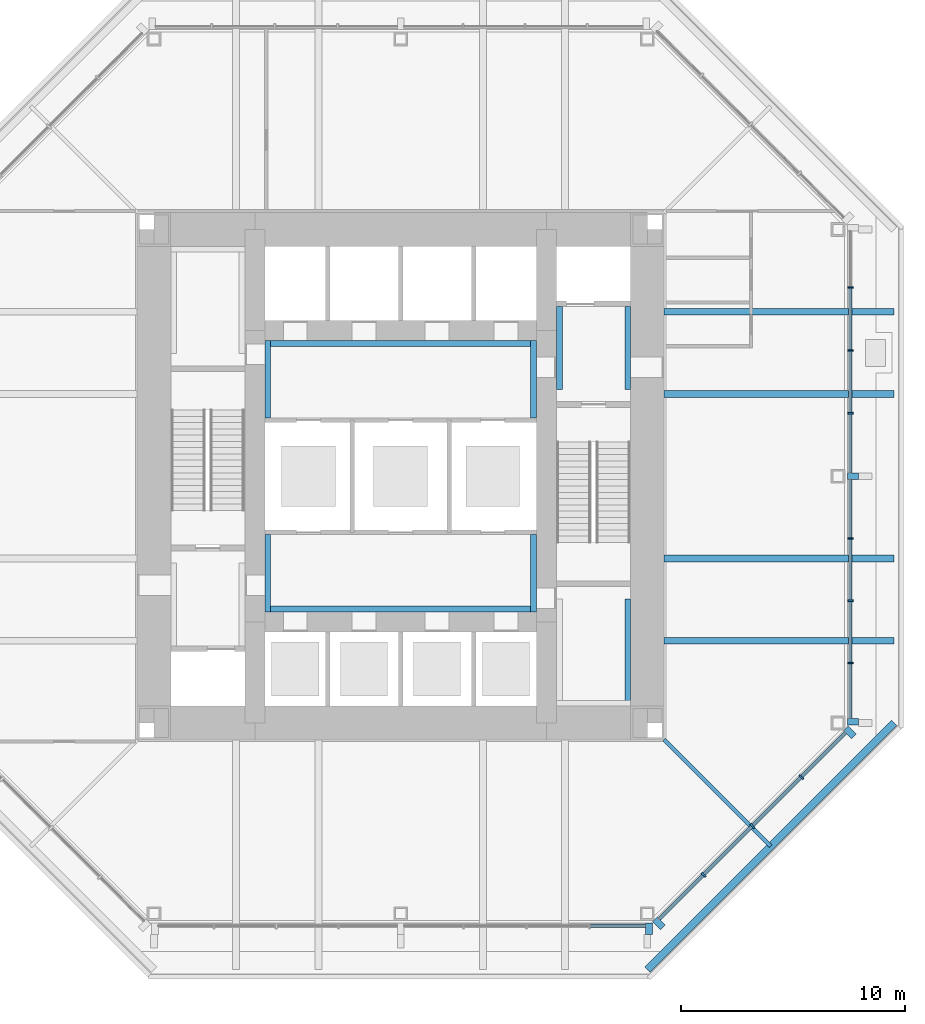
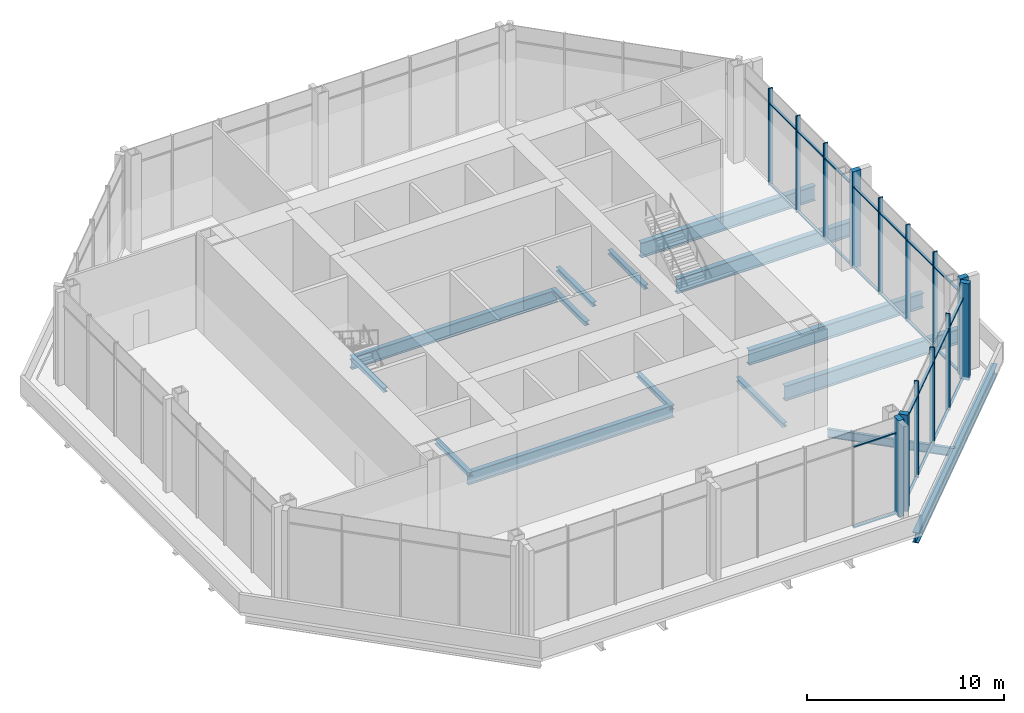
# One storey, part 3 of 10: 38 members, 15 beams, 3 elements without a shape of their own.
"""IFC4 building model written with IfcOpenShell, lengths in metres."""

from ifc_helpers import new_model, si_unit, direction, frame, origin, origin_2d, place, context, subcontext, project, spatial, rectangle, i_section, extrude, material, material_profile, profile_set, type_object, element, aggregate, save


model = new_model("IFC4")

# Units and contexts
model_context = context("Model", 3, precision=1e-05, world=origin(), true_north=direction((0.0, 1.0)))
body_context = subcontext(model_context, "Body", "Model", "MODEL_VIEW")
ifc_project = project(units=[si_unit("LENGTHUNIT", "METRE"), si_unit("AREAUNIT", "SQUARE_METRE"), si_unit("VOLUMEUNIT", "CUBIC_METRE"), si_unit("PLANEANGLEUNIT", "RADIAN"), si_unit("MASSUNIT", "GRAM", prefix="KILO")], contexts=[model_context])

# Site, building, storey
site_placement = place(None, origin())
site = spatial("IfcSite", under=ifc_project, at=site_placement, CompositionType="ELEMENT")
building_placement = place(site_placement, origin())
building = spatial("IfcBuilding", under=site, at=building_placement, Name="Trevanion Tower", CompositionType="ELEMENT")
storey_placement = place(building_placement, frame((0.0, 0.0, 184.699951171875)))
storey = spatial("IfcBuildingStorey", under=building, at=storey_placement, Name="L43", CompositionType="ELEMENT", Elevation=184.699951171875)

# Beams
ifc_material_1 = material(Name="Steel ASTM A992 Grade 50", Category="steel")
ifc_material_profile_1 = material_profile(ifc_material_1, i_section(OverallWidth=0.1650390625, OverallDepth=0.52587890625, WebThickness=0.0087890625, FlangeThickness=0.011474609375, at=origin_2d()), Name="W21X44")
ifc_profile_set_1 = profile_set([ifc_material_profile_1], Name="Steel ASTM A992 Grade 50")
beam_type_1 = type_object("IfcBeamType", Name="B10 W21X44", PredefinedType="BEAM", material=ifc_profile_set_1)
beam_1_placement = place(storey_placement, frame((11.75, -11.75, -0.452880859375), z_axis=(0.707106781187, -0.707106781187, 0.0), x_axis=(0.707106781187, 0.707106781187, 0.0)))
element("IfcBeam", 1, at=beam_1_placement, inside=storey, type_object=beam_type_1, Name="B10 L43", PredefinedType="BEAM", context=body_context, shape_type="SweptSolid", body=[
    extrude(i_section(OverallWidth=0.1650390625, OverallDepth=0.52587890625, WebThickness=0.0087890625, FlangeThickness=0.011474609375, at=origin_2d()), origin(), (0.0, 0.0, 1.0), 6.717529296875),
])
ifc_material_2 = material(Name="Steel ASTM A992 Grade 50", Category="steel")
ifc_material_profile_2 = material_profile(ifc_material_2, i_section(OverallWidth=0.307373046875, OverallDepth=0.922119140625, WebThickness=0.018310546875, FlangeThickness=0.030029296875, at=origin_2d()), Name="W36X182")
ifc_profile_set_2 = profile_set([ifc_material_profile_2], Name="Steel ASTM A992 Grade 50")
beam_type_2 = type_object("IfcBeamType", Name="B9 W36X182", PredefinedType="BEAM", material=ifc_profile_set_2)
for number, where, z_axis, x_axis, name in (
    (2, (11.75, -7.333251953125, -0.65087890625), (1.0, 0.0, 0.0), (0.0, 1.0, 0.0), "B9 L43"),
    (3, (11.75, -3.666748046875, -0.65087890625), (1.0, 0.0, 0.0), (0.0, 1.0, 0.0), "B9 L43"),
    (4, (11.75, 3.666748046875, -0.65087890625), (1.0, 0.0, 0.0), (0.0, 1.0, 0.0), "B9 L43"),
    (5, (11.75, 7.333251953125, -0.65087890625), (1.0, 0.0, 0.0), (0.0, 1.0, 0.0), "B9 L43"),
):
    element("IfcBeam", number, at=place(storey_placement, frame(where, z_axis=z_axis, x_axis=x_axis)), inside=storey, type_object=beam_type_2, Name=name, PredefinedType="BEAM", context=body_context, shape_type="SweptSolid", body=[
        extrude(i_section(OverallWidth=0.307373046875, OverallDepth=0.922119140625, WebThickness=0.018310546875, FlangeThickness=0.030029296875, at=origin_2d()), origin(), (0.0, 0.0, 1.0), 10.25),
    ])

# Curtain wall, members
ifc_material_3 = material(Name="Aluminium and glass", Category="aluminium")
curtain_wall_type = type_object("IfcCurtainWallType", Name="CW3 curtain wall", PredefinedType="USERDEFINED", material=ifc_material_3)
curtain_wall_1_placement = place(storey_placement, origin())
curtain_wall_1 = element("IfcCurtainWall", 6, at=curtain_wall_1_placement, inside=storey, type_object=curtain_wall_type, Name="CW3 L43 0", ObjectType="UNITISED CURTAIN WALL", PredefinedType="USERDEFINED")
ifc_material_4 = material(Name="Aluminium extrusion, anodised bronze", Category="aluminium")
ifc_material_profile_3 = material_profile(ifc_material_4, rectangle(XDim=0.074951171875, YDim=0.25, at=origin_2d()), Name="CW3 mullion")
ifc_profile_set_3 = profile_set([ifc_material_profile_3], Name="Aluminium extrusion, anodised bronze")
member_type_1 = type_object("IfcMemberType", Name="CW3 mullion", PredefinedType="MULLION", material=ifc_profile_set_3)
member_1_placement = place(storey_placement, frame((20.050048828125, -8.323486328125, -0.18994140625), z_axis=(0.0, 0.0, 1.0), x_axis=(0.0, 1.0, 0.0)))
member_1 = element("IfcMember", 7, at=member_1_placement, type_object=member_type_1, Name="CW3 mullion 2", PredefinedType="MULLION", context=body_context, shape_type="SweptSolid", body=[
    extrude(rectangle(XDim=0.074951171875, YDim=0.25, at=origin_2d()), origin(), (0.0, 0.0, 1.0), 6.0),
])
member_2_placement = place(storey_placement, frame((20.050048828125, -5.548828125, -0.18994140625), z_axis=(0.0, 0.0, 1.0), x_axis=(0.0, 1.0, 0.0)))
member_2 = element("IfcMember", 8, at=member_2_placement, type_object=member_type_1, Name="CW3 mullion 3", PredefinedType="MULLION", context=body_context, shape_type="SweptSolid", body=[
    extrude(rectangle(XDim=0.074951171875, YDim=0.25, at=origin_2d()), origin(), (0.0, 0.0, 1.0), 6.0),
])
member_3_placement = place(storey_placement, frame((20.050048828125, -2.7744140625, -0.18994140625), z_axis=(0.0, 0.0, 1.0), x_axis=(0.0, 1.0, 0.0)))
member_3 = element("IfcMember", 9, at=member_3_placement, type_object=member_type_1, Name="CW3 mullion 4", PredefinedType="MULLION", context=body_context, shape_type="SweptSolid", body=[
    extrude(rectangle(XDim=0.074951171875, YDim=0.25, at=origin_2d()), origin(), (0.0, 0.0, 1.0), 6.0),
])
member_4_placement = place(storey_placement, frame((20.050048828125, 2.806884765625, -0.18994140625), z_axis=(0.0, 0.0, 1.0), x_axis=(0.0, 1.0, 0.0)))
member_4 = element("IfcMember", 10, at=member_4_placement, type_object=member_type_1, Name="CW3 mullion 6", PredefinedType="MULLION", context=body_context, shape_type="SweptSolid", body=[
    extrude(rectangle(XDim=0.074951171875, YDim=0.25, at=origin_2d()), origin(), (0.0, 0.0, 1.0), 6.0),
])
member_5_placement = place(storey_placement, frame((20.050048828125, 5.614013671875, -0.18994140625), z_axis=(0.0, 0.0, 1.0), x_axis=(0.0, 1.0, 0.0)))
member_5 = element("IfcMember", 11, at=member_5_placement, type_object=member_type_1, Name="CW3 mullion 7", PredefinedType="MULLION", context=body_context, shape_type="SweptSolid", body=[
    extrude(rectangle(XDim=0.074951171875, YDim=0.25, at=origin_2d()), origin(), (0.0, 0.0, 1.0), 6.0),
])
member_6_placement = place(storey_placement, frame((20.050048828125, 8.4208984375, -0.18994140625), z_axis=(0.0, 0.0, 1.0), x_axis=(0.0, 1.0, 0.0)))
member_6 = element("IfcMember", 12, at=member_6_placement, type_object=member_type_1, Name="CW3 mullion 8", PredefinedType="MULLION", context=body_context, shape_type="SweptSolid", body=[
    extrude(rectangle(XDim=0.074951171875, YDim=0.25, at=origin_2d()), origin(), (0.0, 0.0, 1.0), 6.0),
])

curtain_wall_2_placement = place(storey_placement, origin())
curtain_wall_2 = element("IfcCurtainWall", 13, at=curtain_wall_2_placement, inside=storey, type_object=curtain_wall_type, Name="CW3 L43 7", ObjectType="UNITISED CURTAIN WALL", PredefinedType="USERDEFINED")
member_7_placement = place(storey_placement, frame((13.502197265625, -17.775390625, -0.18994140625), z_axis=(0.0, 0.0, 1.0), x_axis=(0.707106781187, 0.707106781187, 0.0)))
member_7 = element("IfcMember", 14, at=member_7_placement, type_object=member_type_1, Name="CW3 mullion 2", PredefinedType="MULLION", context=body_context, shape_type="SweptSolid", body=[
    extrude(rectangle(XDim=0.074951171875, YDim=0.25, at=origin_2d()), origin(), (0.0, 0.0, 1.0), 6.0),
])
member_8_placement = place(storey_placement, frame((15.684814453125, -15.593017578125, -0.18994140625), z_axis=(0.0, 0.0, 1.0), x_axis=(0.707106781187, 0.707106781187, 0.0)))
member_8 = element("IfcMember", 15, at=member_8_placement, type_object=member_type_1, Name="CW3 mullion 3", PredefinedType="MULLION", context=body_context, shape_type="SweptSolid", body=[
    extrude(rectangle(XDim=0.074951171875, YDim=0.25, at=origin_2d()), origin(), (0.0, 0.0, 1.0), 6.0),
])
member_9_placement = place(storey_placement, frame((17.867431640625, -13.410400390625, -0.18994140625), z_axis=(0.0, 0.0, 1.0), x_axis=(0.707106781187, 0.707106781187, 0.0)))
member_9 = element("IfcMember", 16, at=member_9_placement, type_object=member_type_1, Name="CW3 mullion 4", PredefinedType="MULLION", context=body_context, shape_type="SweptSolid", body=[
    extrude(rectangle(XDim=0.074951171875, YDim=0.25, at=origin_2d()), origin(), (0.0, 0.0, 1.0), 6.0),
])

# Member
ifc_material_5 = material(Name="Aluminium extrusion, anodised bronze", Category="aluminium")
ifc_material_profile_4 = material_profile(ifc_material_5, rectangle(XDim=0.300048828125, YDim=0.5, at=origin_2d()), Name="CW3 pier mullion")
ifc_profile_set_4 = profile_set([ifc_material_profile_4], Name="Aluminium extrusion, anodised bronze")
member_type_2 = type_object("IfcMemberType", Name="CW3 pier mullion", PredefinedType="MULLION", material=ifc_profile_set_4)
member_10_placement = place(storey_placement, frame((20.175048828125, -10.94775390625, -0.18994140625), z_axis=(0.0, 0.0, 1.0), x_axis=(0.0, 1.0, 0.0)))
member_10 = element("IfcMember", 17, at=member_10_placement, type_object=member_type_2, Name="CW3 pier mullion 1", PredefinedType="MULLION", context=body_context, shape_type="SweptSolid", body=[
    extrude(rectangle(XDim=0.300048828125, YDim=0.5, at=origin_2d()), origin(), (0.0, 0.0, 1.0), 6.0),
])

member_11_placement = place(storey_placement, frame((20.175048828125, 0.0, -0.18994140625), z_axis=(0.0, 0.0, 1.0), x_axis=(0.0, 1.0, 0.0)))
member_11 = element("IfcMember", 18, at=member_11_placement, type_object=member_type_2, Name="CW3 pier mullion 5", PredefinedType="MULLION", context=body_context, shape_type="SweptSolid", body=[
    extrude(rectangle(XDim=0.300048828125, YDim=0.5, at=origin_2d()), origin(), (0.0, 0.0, 1.0), 6.0),
])

# Curtain wall, member
curtain_wall_3_placement = place(storey_placement, origin())
curtain_wall_3 = element("IfcCurtainWall", 19, at=curtain_wall_3_placement, inside=storey, type_object=curtain_wall_type, Name="CW3 L43 6", ObjectType="UNITISED CURTAIN WALL", PredefinedType="USERDEFINED")
member_12_placement = place(storey_placement, frame((11.077880859375, -20.175048828125, -0.18994140625), z_axis=(0.0, 0.0, 1.0), x_axis=(1.0, 0.0, 0.0)))
member_12 = element("IfcMember", 20, at=member_12_placement, type_object=member_type_2, Name="CW3 pier mullion 9", PredefinedType="MULLION", context=body_context, shape_type="SweptSolid", body=[
    extrude(rectangle(XDim=0.300048828125, YDim=0.5, at=origin_2d()), origin(), (0.0, 0.0, 1.0), 6.0),
])

# Member
member_13_placement = place(storey_placement, frame((11.51416015625, -19.9404296875, -0.18994140625), z_axis=(0.0, 0.0, 1.0), x_axis=(0.707106781187, 0.707106781187, 0.0)))
member_13 = element("IfcMember", 21, at=member_13_placement, type_object=member_type_2, Name="CW3 pier mullion 1", PredefinedType="MULLION", context=body_context, shape_type="SweptSolid", body=[
    extrude(rectangle(XDim=0.300048828125, YDim=0.5, at=origin_2d()), origin(), (0.0, 0.0, 1.0), 6.0),
])

member_14_placement = place(storey_placement, frame((20.0322265625, -11.42236328125, -0.18994140625), z_axis=(0.0, 0.0, 1.0), x_axis=(0.707106781187, 0.707106781187, 0.0)))
member_14 = element("IfcMember", 22, at=member_14_placement, type_object=member_type_2, Name="CW3 pier mullion 5", PredefinedType="MULLION", context=body_context, shape_type="SweptSolid", body=[
    extrude(rectangle(XDim=0.300048828125, YDim=0.5, at=origin_2d()), origin(), (0.0, 0.0, 1.0), 6.0),
])

ifc_material_6 = material(Name="Aluminium extrusion, anodised bronze", Category="aluminium")
ifc_material_profile_5 = material_profile(ifc_material_6, rectangle(XDim=0.14990234375, YDim=0.074951171875, at=origin_2d()), Name="CW3 transom")
ifc_profile_set_5 = profile_set([ifc_material_profile_5], Name="Aluminium extrusion, anodised bronze")
member_type_3 = type_object("IfcMemberType", Name="CW3 transom", PredefinedType="USERDEFINED", material=ifc_profile_set_5)
member_15_placement = place(storey_placement, frame((20.050048828125, -10.7978515625, -0.15234375), z_axis=(0.0, 1.0, 0.0), x_axis=(-1.0, 0.0, 0.0)))
member_15 = element("IfcMember", 23, at=member_15_placement, type_object=member_type_3, Name="CW3 transom 1.1", ObjectType="TRANSOM", PredefinedType="USERDEFINED", context=body_context, shape_type="SweptSolid", body=[
    extrude(rectangle(XDim=0.14990234375, YDim=0.074951171875, at=origin_2d()), origin(), (0.0, 0.0, 1.0), 2.43701171875),
])

member_16_placement = place(storey_placement, frame((20.050048828125, -10.7978515625, 4.860107421875), z_axis=(0.0, 1.0, 0.0), x_axis=(-1.0, 0.0, 0.0)))
member_16 = element("IfcMember", 24, at=member_16_placement, type_object=member_type_3, Name="CW3 transom 1.2", ObjectType="TRANSOM", PredefinedType="USERDEFINED", context=body_context, shape_type="SweptSolid", body=[
    extrude(rectangle(XDim=0.14990234375, YDim=0.074951171875, at=origin_2d()), origin(), (0.0, 0.0, 1.0), 2.43701171875),
])

member_17_placement = place(storey_placement, frame((20.050048828125, -8.285888671875, -0.15234375), z_axis=(0.0, 1.0, 0.0), x_axis=(-1.0, 0.0, 0.0)))
member_17 = element("IfcMember", 25, at=member_17_placement, type_object=member_type_3, Name="CW3 transom 2.1", ObjectType="TRANSOM", PredefinedType="USERDEFINED", context=body_context, shape_type="SweptSolid", body=[
    extrude(rectangle(XDim=0.14990234375, YDim=0.074951171875, at=origin_2d()), origin(), (0.0, 0.0, 1.0), 2.699462890625),
])

member_18_placement = place(storey_placement, frame((20.050048828125, -8.285888671875, 4.860107421875), z_axis=(0.0, 1.0, 0.0), x_axis=(-1.0, 0.0, 0.0)))
member_18 = element("IfcMember", 26, at=member_18_placement, type_object=member_type_3, Name="CW3 transom 2.2", ObjectType="TRANSOM", PredefinedType="USERDEFINED", context=body_context, shape_type="SweptSolid", body=[
    extrude(rectangle(XDim=0.14990234375, YDim=0.074951171875, at=origin_2d()), origin(), (0.0, 0.0, 1.0), 2.699462890625),
])

member_19_placement = place(storey_placement, frame((20.050048828125, -5.511474609375, -0.15234375), z_axis=(0.0, 1.0, 0.0), x_axis=(-1.0, 0.0, 0.0)))
member_19 = element("IfcMember", 27, at=member_19_placement, type_object=member_type_3, Name="CW3 transom 3.1", ObjectType="TRANSOM", PredefinedType="USERDEFINED", context=body_context, shape_type="SweptSolid", body=[
    extrude(rectangle(XDim=0.14990234375, YDim=0.074951171875, at=origin_2d()), origin(), (0.0, 0.0, 1.0), 2.699462890625),
])

member_20_placement = place(storey_placement, frame((20.050048828125, -5.511474609375, 4.860107421875), z_axis=(0.0, 1.0, 0.0), x_axis=(-1.0, 0.0, 0.0)))
member_20 = element("IfcMember", 28, at=member_20_placement, type_object=member_type_3, Name="CW3 transom 3.2", ObjectType="TRANSOM", PredefinedType="USERDEFINED", context=body_context, shape_type="SweptSolid", body=[
    extrude(rectangle(XDim=0.14990234375, YDim=0.074951171875, at=origin_2d()), origin(), (0.0, 0.0, 1.0), 2.699462890625),
])

member_21_placement = place(storey_placement, frame((20.050048828125, -2.737060546875, -0.15234375), z_axis=(0.0, 1.0, 0.0), x_axis=(-1.0, 0.0, 0.0)))
member_21 = element("IfcMember", 29, at=member_21_placement, type_object=member_type_3, Name="CW3 transom 4.1", ObjectType="TRANSOM", PredefinedType="USERDEFINED", context=body_context, shape_type="SweptSolid", body=[
    extrude(rectangle(XDim=0.14990234375, YDim=0.074951171875, at=origin_2d()), origin(), (0.0, 0.0, 1.0), 2.587158203125),
])

member_22_placement = place(storey_placement, frame((20.050048828125, -2.737060546875, 4.860107421875), z_axis=(0.0, 1.0, 0.0), x_axis=(-1.0, 0.0, 0.0)))
member_22 = element("IfcMember", 30, at=member_22_placement, type_object=member_type_3, Name="CW3 transom 4.2", ObjectType="TRANSOM", PredefinedType="USERDEFINED", context=body_context, shape_type="SweptSolid", body=[
    extrude(rectangle(XDim=0.14990234375, YDim=0.074951171875, at=origin_2d()), origin(), (0.0, 0.0, 1.0), 2.587158203125),
])

member_23_placement = place(storey_placement, frame((20.050048828125, 0.14990234375, -0.15234375), z_axis=(0.0, 1.0, 0.0), x_axis=(-1.0, 0.0, 0.0)))
member_23 = element("IfcMember", 31, at=member_23_placement, type_object=member_type_3, Name="CW3 transom 5.1", ObjectType="TRANSOM", PredefinedType="USERDEFINED", context=body_context, shape_type="SweptSolid", body=[
    extrude(rectangle(XDim=0.14990234375, YDim=0.074951171875, at=origin_2d()), origin(), (0.0, 0.0, 1.0), 2.619384765625),
])

member_24_placement = place(storey_placement, frame((20.050048828125, 0.14990234375, 4.860107421875), z_axis=(0.0, 1.0, 0.0), x_axis=(-1.0, 0.0, 0.0)))
member_24 = element("IfcMember", 32, at=member_24_placement, type_object=member_type_3, Name="CW3 transom 5.2", ObjectType="TRANSOM", PredefinedType="USERDEFINED", context=body_context, shape_type="SweptSolid", body=[
    extrude(rectangle(XDim=0.14990234375, YDim=0.074951171875, at=origin_2d()), origin(), (0.0, 0.0, 1.0), 2.619384765625),
])

member_25_placement = place(storey_placement, frame((20.050048828125, 2.844482421875, -0.15234375), z_axis=(0.0, 1.0, 0.0), x_axis=(-1.0, 0.0, 0.0)))
member_25 = element("IfcMember", 33, at=member_25_placement, type_object=member_type_3, Name="CW3 transom 6.1", ObjectType="TRANSOM", PredefinedType="USERDEFINED", context=body_context, shape_type="SweptSolid", body=[
    extrude(rectangle(XDim=0.14990234375, YDim=0.074951171875, at=origin_2d()), origin(), (0.0, 0.0, 1.0), 2.73193359375),
])

member_26_placement = place(storey_placement, frame((20.050048828125, 2.844482421875, 4.860107421875), z_axis=(0.0, 1.0, 0.0), x_axis=(-1.0, 0.0, 0.0)))
member_26 = element("IfcMember", 34, at=member_26_placement, type_object=member_type_3, Name="CW3 transom 6.2", ObjectType="TRANSOM", PredefinedType="USERDEFINED", context=body_context, shape_type="SweptSolid", body=[
    extrude(rectangle(XDim=0.14990234375, YDim=0.074951171875, at=origin_2d()), origin(), (0.0, 0.0, 1.0), 2.73193359375),
])

member_27_placement = place(storey_placement, frame((20.050048828125, 5.6513671875, -0.15234375), z_axis=(0.0, 1.0, 0.0), x_axis=(-1.0, 0.0, 0.0)))
member_27 = element("IfcMember", 35, at=member_27_placement, type_object=member_type_3, Name="CW3 transom 7.1", ObjectType="TRANSOM", PredefinedType="USERDEFINED", context=body_context, shape_type="SweptSolid", body=[
    extrude(rectangle(XDim=0.14990234375, YDim=0.074951171875, at=origin_2d()), origin(), (0.0, 0.0, 1.0), 2.73193359375),
])

member_28_placement = place(storey_placement, frame((20.050048828125, 5.6513671875, 4.860107421875), z_axis=(0.0, 1.0, 0.0), x_axis=(-1.0, 0.0, 0.0)))
member_28 = element("IfcMember", 36, at=member_28_placement, type_object=member_type_3, Name="CW3 transom 7.2", ObjectType="TRANSOM", PredefinedType="USERDEFINED", context=body_context, shape_type="SweptSolid", body=[
    extrude(rectangle(XDim=0.14990234375, YDim=0.074951171875, at=origin_2d()), origin(), (0.0, 0.0, 1.0), 2.73193359375),
])

aggregate(curtain_wall_1, [member_10, member_1, member_2, member_3, member_11, member_4, member_5, member_6, member_15, member_16, member_17, member_18, member_19, member_20, member_21, member_22, member_23, member_24, member_25, member_26, member_27, member_28])

member_29_placement = place(storey_placement, frame((8.45849609375, -20.050048828125, -0.15234375), z_axis=(1.0, 0.0, 0.0), x_axis=(0.0, 1.0, 0.0)))
member_29 = element("IfcMember", 37, at=member_29_placement, type_object=member_type_3, Name="CW3 transom 8.1", ObjectType="TRANSOM", PredefinedType="USERDEFINED", context=body_context, shape_type="SweptSolid", body=[
    extrude(rectangle(XDim=0.14990234375, YDim=0.074951171875, at=origin_2d()), origin(), (0.0, 0.0, 1.0), 2.46923828125),
])

member_30_placement = place(storey_placement, frame((8.45849609375, -20.050048828125, 4.860107421875), z_axis=(1.0, 0.0, 0.0), x_axis=(0.0, 1.0, 0.0)))
member_30 = element("IfcMember", 38, at=member_30_placement, type_object=member_type_3, Name="CW3 transom 8.2", ObjectType="TRANSOM", PredefinedType="USERDEFINED", context=body_context, shape_type="SweptSolid", body=[
    extrude(rectangle(XDim=0.14990234375, YDim=0.074951171875, at=origin_2d()), origin(), (0.0, 0.0, 1.0), 2.46923828125),
])

aggregate(curtain_wall_3, [member_12, member_29, member_30])

member_31_placement = place(storey_placement, frame((11.531982421875, -19.745849609375, -0.15234375), z_axis=(0.707106781187, 0.707106781187, 0.0), x_axis=(-0.707106781187, 0.707106781187, 0.0)))
member_31 = element("IfcMember", 39, at=member_31_placement, type_object=member_type_3, Name="CW3 transom 1.1", ObjectType="TRANSOM", PredefinedType="USERDEFINED", context=body_context, shape_type="SweptSolid", body=[
    extrude(rectangle(XDim=0.14990234375, YDim=0.074951171875, at=origin_2d()), origin(), (0.0, 0.0, 1.0), 2.7490234375),
])

member_32_placement = place(storey_placement, frame((11.531982421875, -19.745849609375, 4.860107421875), z_axis=(0.707106781187, 0.707106781187, 0.0), x_axis=(-0.707106781187, 0.707106781187, 0.0)))
member_32 = element("IfcMember", 40, at=member_32_placement, type_object=member_type_3, Name="CW3 transom 1.2", ObjectType="TRANSOM", PredefinedType="USERDEFINED", context=body_context, shape_type="SweptSolid", body=[
    extrude(rectangle(XDim=0.14990234375, YDim=0.074951171875, at=origin_2d()), origin(), (0.0, 0.0, 1.0), 2.7490234375),
])

member_33_placement = place(storey_placement, frame((13.52880859375, -17.7490234375, -0.15234375), z_axis=(0.707106781187, 0.707106781187, 0.0), x_axis=(-0.707106781187, 0.707106781187, 0.0)))
member_33 = element("IfcMember", 41, at=member_33_placement, type_object=member_type_3, Name="CW3 transom 2.1", ObjectType="TRANSOM", PredefinedType="USERDEFINED", context=body_context, shape_type="SweptSolid", body=[
    extrude(rectangle(XDim=0.14990234375, YDim=0.074951171875, at=origin_2d()), origin(), (0.0, 0.0, 1.0), 3.01171875),
])

member_34_placement = place(storey_placement, frame((13.52880859375, -17.7490234375, 4.860107421875), z_axis=(0.707106781187, 0.707106781187, 0.0), x_axis=(-0.707106781187, 0.707106781187, 0.0)))
member_34 = element("IfcMember", 42, at=member_34_placement, type_object=member_type_3, Name="CW3 transom 2.2", ObjectType="TRANSOM", PredefinedType="USERDEFINED", context=body_context, shape_type="SweptSolid", body=[
    extrude(rectangle(XDim=0.14990234375, YDim=0.074951171875, at=origin_2d()), origin(), (0.0, 0.0, 1.0), 3.01171875),
])

member_35_placement = place(storey_placement, frame((15.71142578125, -15.56640625, -0.15234375), z_axis=(0.707106781187, 0.707106781187, 0.0), x_axis=(-0.707106781187, 0.707106781187, 0.0)))
member_35 = element("IfcMember", 43, at=member_35_placement, type_object=member_type_3, Name="CW3 transom 3.1", ObjectType="TRANSOM", PredefinedType="USERDEFINED", context=body_context, shape_type="SweptSolid", body=[
    extrude(rectangle(XDim=0.14990234375, YDim=0.074951171875, at=origin_2d()), origin(), (0.0, 0.0, 1.0), 3.011474609375),
])

member_36_placement = place(storey_placement, frame((15.71142578125, -15.56640625, 4.860107421875), z_axis=(0.707106781187, 0.707106781187, 0.0), x_axis=(-0.707106781187, 0.707106781187, 0.0)))
member_36 = element("IfcMember", 44, at=member_36_placement, type_object=member_type_3, Name="CW3 transom 3.2", ObjectType="TRANSOM", PredefinedType="USERDEFINED", context=body_context, shape_type="SweptSolid", body=[
    extrude(rectangle(XDim=0.14990234375, YDim=0.074951171875, at=origin_2d()), origin(), (0.0, 0.0, 1.0), 3.011474609375),
])

member_37_placement = place(storey_placement, frame((17.89404296875, -13.3837890625, -0.15234375), z_axis=(0.707106781187, 0.707106781187, 0.0), x_axis=(-0.707106781187, 0.707106781187, 0.0)))
member_37 = element("IfcMember", 45, at=member_37_placement, type_object=member_type_3, Name="CW3 transom 4.1", ObjectType="TRANSOM", PredefinedType="USERDEFINED", context=body_context, shape_type="SweptSolid", body=[
    extrude(rectangle(XDim=0.14990234375, YDim=0.074951171875, at=origin_2d()), origin(), (0.0, 0.0, 1.0), 2.7490234375),
])

member_38_placement = place(storey_placement, frame((17.89404296875, -13.3837890625, 4.860107421875), z_axis=(0.707106781187, 0.707106781187, 0.0), x_axis=(-0.707106781187, 0.707106781187, 0.0)))
member_38 = element("IfcMember", 46, at=member_38_placement, type_object=member_type_3, Name="CW3 transom 4.2", ObjectType="TRANSOM", PredefinedType="USERDEFINED", context=body_context, shape_type="SweptSolid", body=[
    extrude(rectangle(XDim=0.14990234375, YDim=0.074951171875, at=origin_2d()), origin(), (0.0, 0.0, 1.0), 2.7490234375),
])

aggregate(curtain_wall_2, [member_13, member_7, member_8, member_9, member_14, member_31, member_32, member_33, member_34, member_35, member_36, member_37, member_38])

# Beams
ifc_material_7 = material(Name="Steel ASTM A992 Grade 50", Category="steel")
ifc_material_profile_6 = material_profile(ifc_material_7, i_section(OverallWidth=0.256591796875, OverallDepth=0.26416015625, WebThickness=0.011962890625, FlangeThickness=0.01953125, at=origin_2d()), Name="W10X68")
ifc_profile_set_6 = profile_set([ifc_material_profile_6], Name="Steel ASTM A992 Grade 50")
beam_type_3 = type_object("IfcBeamType", Name="LB1 W10X68", PredefinedType="BEAM", material=ifc_profile_set_6)
for number, where, z_axis, x_axis, name in (
    (47, (-5.921630859375, 2.60009765625, -0.33203125), (0.0, 1.0, 0.0), (-1.0, 0.0, 0.0), "LB1 L43"),
    (48, (5.921630859375, 2.60009765625, -0.33203125), (0.0, 1.0, 0.0), (-1.0, 0.0, 0.0), "LB1 L43"),
    (49, (-5.921630859375, -6.050048828125, -0.33203125), (0.0, 1.0, 0.0), (-1.0, 0.0, 0.0), "LB1 L43"),
    (50, (5.921630859375, -6.050048828125, -0.33203125), (0.0, 1.0, 0.0), (-1.0, 0.0, 0.0), "LB1 L43"),
):
    element("IfcBeam", number, at=place(storey_placement, frame(where, z_axis=z_axis, x_axis=x_axis)), inside=storey, type_object=beam_type_3, Name=name, PredefinedType="BEAM", context=body_context, shape_type="SweptSolid", body=[
        extrude(i_section(OverallWidth=0.256591796875, OverallDepth=0.26416015625, WebThickness=0.011962890625, FlangeThickness=0.01953125, at=origin_2d()), origin(), (0.0, 0.0, 1.0), 3.449951171875),
    ])
for number, where, z_axis, x_axis, name in (
    (51, (7.078369140625, 3.875, -0.33203125), (0.0, 1.0, 0.0), (-1.0, 0.0, 0.0), "LB1 L43"),
    (52, (10.12158203125, 3.875, -0.33203125), (0.0, 1.0, 0.0), (-1.0, 0.0, 0.0), "LB1 L43"),
):
    element("IfcBeam", number, at=place(storey_placement, frame(where, z_axis=z_axis, x_axis=x_axis)), inside=storey, type_object=beam_type_3, Name=name, PredefinedType="BEAM", context=body_context, shape_type="SweptSolid", body=[
        extrude(i_section(OverallWidth=0.256591796875, OverallDepth=0.26416015625, WebThickness=0.011962890625, FlangeThickness=0.01953125, at=origin_2d()), origin(), (0.0, 0.0, 1.0), 3.699951171875),
    ])
beam_2_placement = place(storey_placement, frame((10.12158203125, -10.25, -0.33203125), z_axis=(0.0, 1.0, 0.0), x_axis=(-1.0, 0.0, 0.0)))
element("IfcBeam", 53, at=beam_2_placement, inside=storey, type_object=beam_type_3, Name="LB1 L43", PredefinedType="BEAM", context=body_context, shape_type="SweptSolid", body=[
    extrude(i_section(OverallWidth=0.256591796875, OverallDepth=0.26416015625, WebThickness=0.011962890625, FlangeThickness=0.01953125, at=origin_2d()), origin(), (0.0, 0.0, 1.0), 4.77490234375),
])
ifc_material_8 = material(Name="Steel ASTM A992 Grade 50", Category="steel")
ifc_material_profile_7 = material_profile(ifc_material_8, i_section(OverallWidth=0.2666015625, OverallDepth=0.76953125, WebThickness=0.015625, FlangeThickness=0.025390625, at=origin_2d()), Name="W30X132")
ifc_profile_set_7 = profile_set([ifc_material_profile_7], Name="Steel ASTM A992 Grade 50")
beam_type_4 = type_object("IfcBeamType", Name="LB3 W30X132", PredefinedType="BEAM", material=ifc_profile_set_7)
for number, where, z_axis, x_axis, name in (
    (54, (-6.050048828125, 5.91650390625, -0.584716796875), (1.0, 0.0, 0.0), (0.0, 1.0, 0.0), "LB3 L43"),
    (55, (-6.050048828125, -5.91650390625, -0.584716796875), (1.0, 0.0, 0.0), (0.0, 1.0, 0.0), "LB3 L43"),
):
    element("IfcBeam", number, at=place(storey_placement, frame(where, z_axis=z_axis, x_axis=x_axis)), inside=storey, type_object=beam_type_4, Name=name, PredefinedType="BEAM", context=body_context, shape_type="SweptSolid", body=[
        extrude(i_section(OverallWidth=0.2666015625, OverallDepth=0.76953125, WebThickness=0.015625, FlangeThickness=0.025390625, at=origin_2d()), origin(), (0.0, 0.0, 1.0), 12.10009765625),
    ])
ifc_material_9 = material(Name="Steel ASTM A992 Grade 50", Category="steel")
ifc_material_profile_8 = material_profile(ifc_material_9, i_section(OverallWidth=0.330078125, OverallDepth=0.647705078125, WebThickness=0.0205078125, FlangeThickness=0.037109375, at=origin_2d()), Name="W24X192")
ifc_profile_set_8 = profile_set([ifc_material_profile_8], Name="Steel ASTM A992 Grade 50")
beam_type_5 = type_object("IfcBeamType", Name="SB7 W24X192", PredefinedType="SPANDREL", material=ifc_profile_set_8)
beam_3_placement = place(storey_placement, frame((11.0, -22.0, -0.513916015625), z_axis=(0.707106781187, 0.707106781187, 0.0), x_axis=(-0.707106781187, 0.707106781187, 0.0)))
element("IfcBeam", 56, at=beam_3_placement, inside=storey, type_object=beam_type_5, Name="SB7 L43", PredefinedType="SPANDREL", context=body_context, shape_type="SweptSolid", body=[
    extrude(i_section(OverallWidth=0.330078125, OverallDepth=0.647705078125, WebThickness=0.0205078125, FlangeThickness=0.037109375, at=origin_2d()), origin(), (0.0, 0.0, 1.0), 15.556396484375),
])

save(model, "model.ifc")
